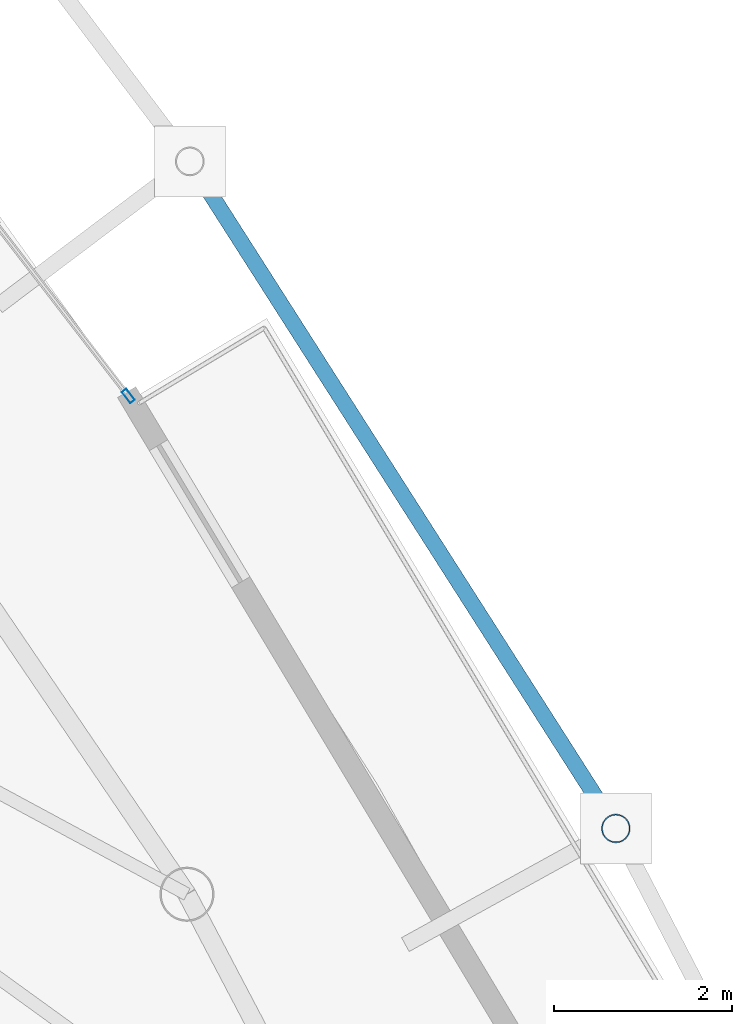
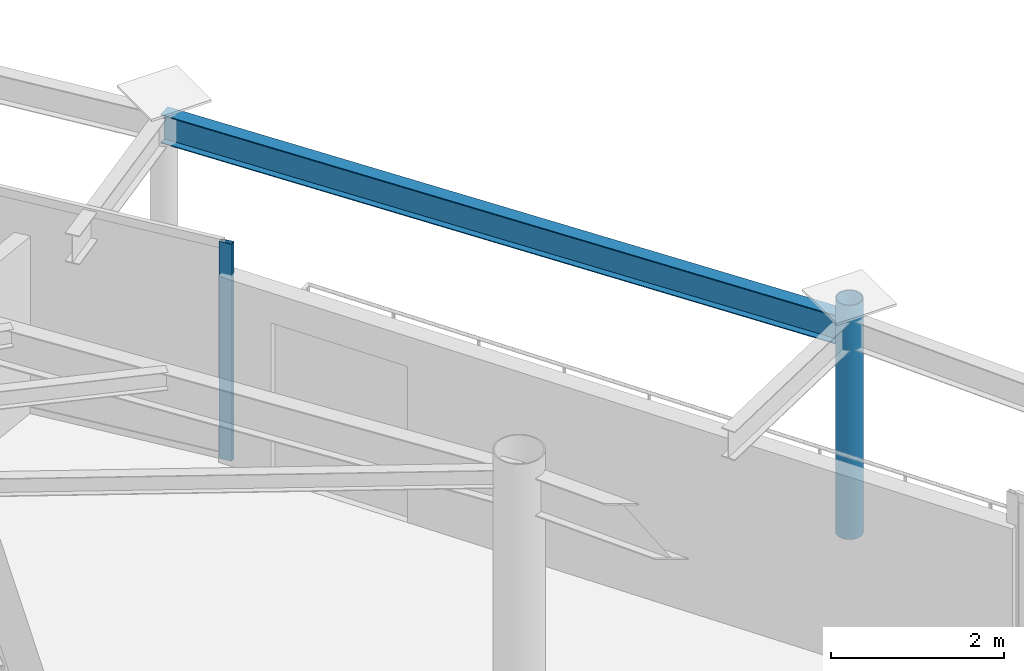
# One storey, part 22 of 34: 2 members, 1 beam, 1 element without a shape of its own.
"""IFC4 building model written with IfcOpenShell, lengths in metres."""

from ifc_helpers import new_model, si_unit, direction, frame, origin, origin_2d, place, context, subcontext, project, spatial, hollow_rectangle, hollow_circle, i_section, extrude, material, layer, layer_set, material_profile, profile_set, type_object, element, aggregate, save


model = new_model("IFC4")

# Units and contexts
model_context = context("Model", 3, precision=1e-05, world=origin(), true_north=direction((0.0, 1.0)))
body_context = subcontext(model_context, "Body", "Model", "MODEL_VIEW")
ifc_project = project(units=[si_unit("LENGTHUNIT", "METRE"), si_unit("AREAUNIT", "SQUARE_METRE"), si_unit("VOLUMEUNIT", "CUBIC_METRE"), si_unit("PLANEANGLEUNIT", "RADIAN"), si_unit("MASSUNIT", "GRAM", prefix="KILO")], contexts=[model_context])

# Site, building, storey
site_placement = place(None, origin())
site = spatial("IfcSite", under=ifc_project, at=site_placement, CompositionType="ELEMENT")
building_placement = place(site_placement, origin())
building = spatial("IfcBuilding", under=site, at=building_placement, Name="Orvanel Arch Residences", CompositionType="ELEMENT")
storey_placement = place(building_placement, frame((0.0, 0.0, 203.0)))
storey = spatial("IfcBuildingStorey", under=building, at=storey_placement, Name="L57", CompositionType="ELEMENT", Elevation=203.0)

# Curtain wall, member
ifc_material_1 = material(Name="Bronze-anodised aluminium AA6063-T6", Category="aluminium")
ifc_layer = layer(ifc_material_1, 0.175048828125)
ifc_layer_set = layer_set([ifc_layer], Name="Bronze-anodised aluminium AA6063-T6")
curtain_wall_type = type_object("IfcCurtainWallType", Name="CW4-HI-SYS", PredefinedType="NOTDEFINED", material=ifc_layer_set)
curtain_wall_placement = place(storey_placement, origin())
curtain_wall = element("IfcCurtainWall", 1, at=curtain_wall_placement, inside=storey, type_object=curtain_wall_type, Name="L57 CW4-HI-SYS Unitised Curtain Wall", PredefinedType="NOTDEFINED")
ifc_material_profile_1 = material_profile(ifc_material_1, hollow_rectangle(XDim=0.06494140625, YDim=0.159912109375, WallThickness=0.00390625, at=origin_2d()), Name="ALU160x65x4")
ifc_profile_set_1 = profile_set([ifc_material_profile_1], Name="Bronze-anodised aluminium AA6063-T6")
member_type_1 = type_object("IfcMemberType", Name="MUL-160x65", PredefinedType="MULLION", material=ifc_profile_set_1)
member_1_placement = place(storey_placement, frame((44.770263671875, 33.254638671875, 0.0), z_axis=(0.0, 0.0, 1.0), x_axis=(-0.792297867049, -0.610134485069, 0.0)))
member_1 = element("IfcMember", 2, at=member_1_placement, type_object=member_type_1, Name="CW-S4 mullion 1", PredefinedType="MULLION", context=body_context, shape_type="SweptSolid", body=[
    extrude(hollow_rectangle(XDim=0.06494140625, YDim=0.159912109375, WallThickness=0.00390625, at=origin_2d()), origin(), (0.0, 0.0, 1.0), 3.06005859375),
])
aggregate(curtain_wall, [member_1])

# Beam
ifc_material_2 = material(Name="Structural steel AS/NZS 3679.1 Grade 300 (300 MPa)", Category="steel")
ifc_material_profile_2 = material_profile(ifc_material_2, i_section(OverallWidth=0.177978515625, OverallDepth=0.406005859375, WebThickness=0.0078125, FlangeThickness=0.0126953125, at=origin_2d()), Name="410UB59.7")
ifc_profile_set_2 = profile_set([ifc_material_profile_2], Name="Structural steel AS/NZS 3679.1 Grade 300 (300 MPa)")
beam_type = type_object("IfcBeamType", Name="OB-410UB-EXT", PredefinedType="SPANDREL", material=ifc_profile_set_2)
beam_placement = place(storey_placement, frame((50.261962890625, 28.382080078125, 2.85693359375), z_axis=(-0.538270976502, 0.842771829059, 0.0), x_axis=(-0.842771829059, -0.538270976502, 0.0)))
element("IfcBeam", 3, at=beam_placement, inside=storey, type_object=beam_type, Name="L57 Outer Perimeter Floor Ring Beam 10", PredefinedType="SPANDREL", context=body_context, shape_type="SweptSolid", body=[
    extrude(i_section(OverallWidth=0.177978515625, OverallDepth=0.406005859375, WebThickness=0.0078125, FlangeThickness=0.0126953125, at=origin_2d()), origin(), (0.0, 0.0, 1.0), 8.915771484375),
])

# Member
ifc_material_3 = material(Name="Structural steel AS/NZS 1163 C350L0 (Grade 350)", Category="steel")
ifc_material_profile_3 = material_profile(ifc_material_3, hollow_circle(Radius=0.162109375, WallThickness=0.0126953125, at=origin_2d()), Name="CHS324x12.7")
ifc_profile_set_3 = profile_set([ifc_material_profile_3], Name="Structural steel AS/NZS 1163 C350L0 (Grade 350)")
member_type_2 = type_object("IfcMemberType", Name="ST-324CHS-EXT", PredefinedType="STRUT", material=ifc_profile_set_3)
member_2_placement = place(storey_placement, frame((50.261962890625, 28.382080078125, 0.0), z_axis=(0.0, 0.0, 1.0), x_axis=(1.0, 0.0, 0.0)))
element("IfcMember", 4, at=member_2_placement, inside=storey, type_object=member_type_2, Name="L57 Outer Perimeter Frame Post 10", PredefinedType="STRUT", context=body_context, shape_type="SweptSolid", body=[
    extrude(hollow_circle(Radius=0.162109375, WallThickness=0.0126953125, at=origin_2d()), origin(), (0.0, 0.0, 1.0), 3.300048828125),
])

save(model, "model.ifc")
